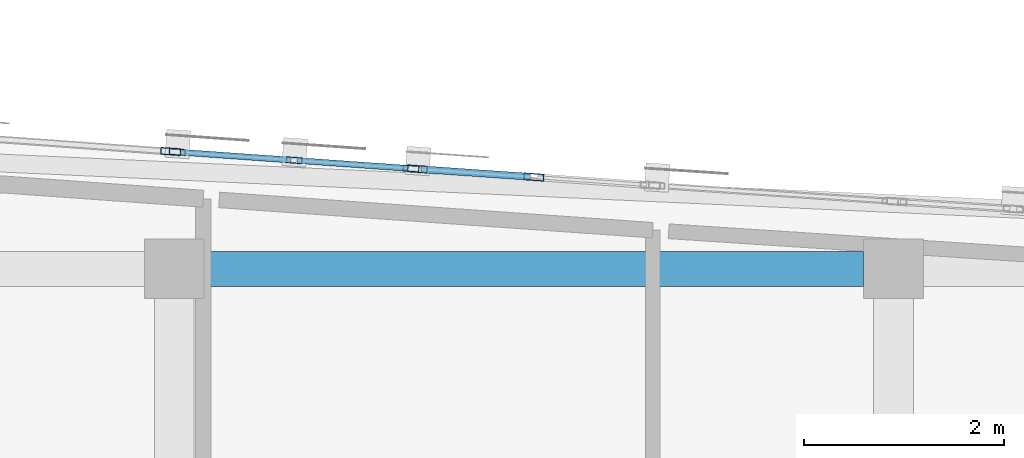
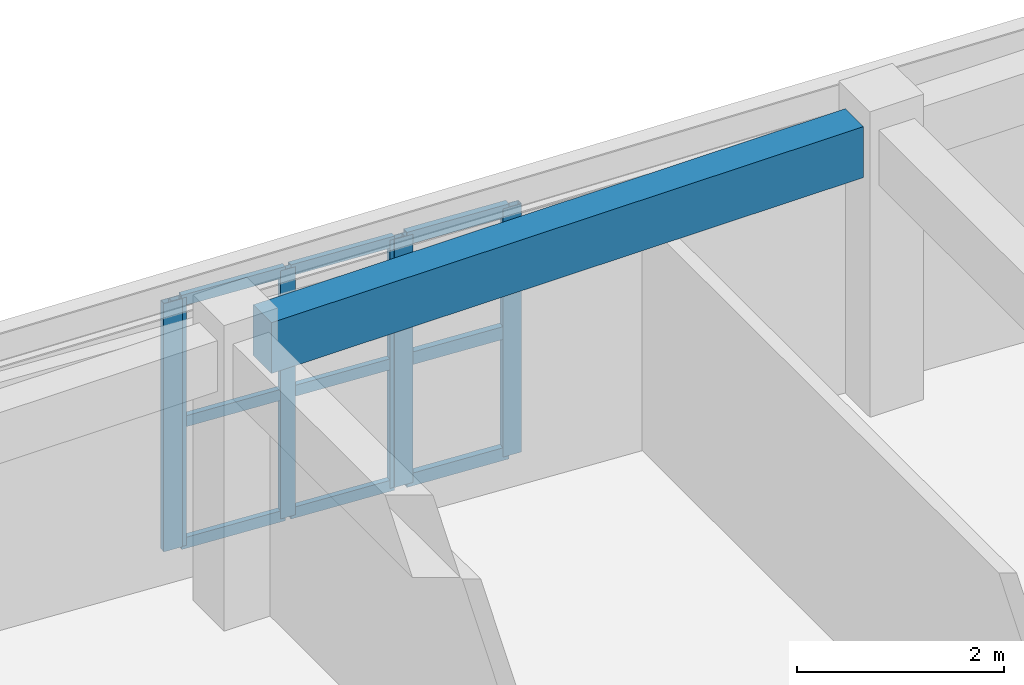
# One storey, part 26 of 50: 15 members, 1 beam, 3 elements without a shape of their own.
"""IFC4 building model written with IfcOpenShell, lengths in metres."""

from ifc_helpers import new_model, si_unit, direction, frame, origin, origin_2d, place, context, subcontext, project, spatial, rectangle, hollow_rectangle, extrude, material, layer, layer_set, material_profile, profile_set, type_object, element, aggregate, save


model = new_model("IFC4")

# Units and contexts
model_context = context("Model", 3, precision=1e-05, world=origin(), true_north=direction((0.0, 1.0)))
body_context = subcontext(model_context, "Body", "Model", "MODEL_VIEW")
ifc_project = project(units=[si_unit("LENGTHUNIT", "METRE"), si_unit("AREAUNIT", "SQUARE_METRE"), si_unit("VOLUMEUNIT", "CUBIC_METRE"), si_unit("PLANEANGLEUNIT", "RADIAN"), si_unit("MASSUNIT", "GRAM", prefix="KILO")], contexts=[model_context])

# Site, building, storey
site_placement = place(None, origin())
site = spatial("IfcSite", under=ifc_project, at=site_placement, CompositionType="ELEMENT")
building_placement = place(site_placement, origin())
building = spatial("IfcBuilding", under=site, at=building_placement, Name="Carrowvane Square Congress Hotel", CompositionType="ELEMENT")
storey_placement = place(building_placement, frame((0.0, 0.0, 22.800048828125)))
storey = spatial("IfcBuildingStorey", under=building, at=storey_placement, Name="L05", CompositionType="ELEMENT", Elevation=22.800048828125)

# Beam
ifc_material_1 = material(Name="Concrete C35/45", Category="concrete")
ifc_material_profile_1 = material_profile(ifc_material_1, rectangle(XDim=0.35009765625, YDim=0.60009765625, at=origin_2d()), Name="RC 350x600")
ifc_profile_set_1 = profile_set([ifc_material_profile_1], Name="Concrete C35/45")
beam_type = type_object("IfcBeamType", Name="BM-RC-350x600", PredefinedType="BEAM", material=ifc_profile_set_1)
beam_placement = place(storey_placement, frame((141.5, 113.39990234375, 3.050048828125), z_axis=(1.0, 0.0, 0.0), x_axis=(0.0, 1.0, 0.0)))
element("IfcBeam", 1, at=beam_placement, inside=storey, type_object=beam_type, Name="L06 girder R/19-20", PredefinedType="BEAM", context=body_context, shape_type="SweptSolid", body=[
    extrude(rectangle(XDim=0.35009765625, YDim=0.60009765625, at=origin_2d()), origin(), (0.0, 0.0, 1.0), 6.60009765625),
])

# Curtain wall, members
ifc_material_2 = material(Name="Anodised aluminium", Category="aluminium")
ifc_layer_1 = layer(ifc_material_2, 0.23388671875)
ifc_layer_set_1 = layer_set([ifc_layer_1], Name="Anodised aluminium")
curtain_wall_type_1 = type_object("IfcCurtainWallType", Name="CW-SYS-7", PredefinedType="NOTDEFINED", material=ifc_layer_set_1)
curtain_wall_1_placement = place(storey_placement, origin())
curtain_wall_1 = element("IfcCurtainWall", 2, at=curtain_wall_1_placement, inside=storey, type_object=curtain_wall_type_1, Name="L05 unitised curtain wall 350", PredefinedType="NOTDEFINED")
ifc_material_3 = material(Name="Anodised aluminium", Category="aluminium")
ifc_material_profile_2 = material_profile(ifc_material_3, hollow_rectangle(XDim=0.06005859375, YDim=0.159912109375, WallThickness=0.00390625, at=origin_2d()), Name="CW-ML 60x160x4")
ifc_profile_set_2 = profile_set([ifc_material_profile_2], Name="Anodised aluminium")
member_type_1 = type_object("IfcMemberType", Name="CW-MUL-1", PredefinedType="MULLION", material=ifc_profile_set_2)
member_1_placement = place(storey_placement, frame((141.22998046875, 114.569091796875, 0.0), z_axis=(0.0, 0.0, 1.0), x_axis=(0.070585996942, 0.997505697746, 0.0)))
member_1 = element("IfcMember", 3, at=member_1_placement, type_object=member_type_1, Name="CW-7 mullion 1", PredefinedType="MULLION", context=body_context, shape_type="SweptSolid", body=[
    extrude(hollow_rectangle(XDim=0.06005859375, YDim=0.159912109375, WallThickness=0.00390625, at=origin_2d()), origin(), (0.0, 0.0, 1.0), 2.925537109375),
])
member_2_placement = place(storey_placement, frame((142.39990234375, 114.486328125, 0.0), z_axis=(0.0, 0.0, 1.0), x_axis=(0.070585996942, 0.997505697746, 0.0)))
member_2 = element("IfcMember", 4, at=member_2_placement, type_object=member_type_1, Name="CW-7 mullion 2", PredefinedType="MULLION", context=body_context, shape_type="SweptSolid", body=[
    extrude(hollow_rectangle(XDim=0.06005859375, YDim=0.159912109375, WallThickness=0.00390625, at=origin_2d()), origin(), (0.0, 0.0, 1.0), 2.925537109375),
])
member_3_placement = place(storey_placement, frame((143.570068359375, 114.403564453125, 0.0), z_axis=(0.0, 0.0, 1.0), x_axis=(0.070585996942, 0.997505697746, 0.0)))
member_3 = element("IfcMember", 5, at=member_3_placement, type_object=member_type_1, Name="CW-7 mullion 3", PredefinedType="MULLION", context=body_context, shape_type="SweptSolid", body=[
    extrude(hollow_rectangle(XDim=0.06005859375, YDim=0.159912109375, WallThickness=0.00390625, at=origin_2d()), origin(), (0.0, 0.0, 1.0), 2.925537109375),
])

# Curtain wall, member
ifc_material_4 = material(Name="Anodised aluminium", Category="aluminium")
ifc_layer_2 = layer(ifc_material_4, 0.221923828125)
ifc_layer_set_2 = layer_set([ifc_layer_2], Name="Anodised aluminium")
curtain_wall_type_2 = type_object("IfcCurtainWallType", Name="CW-SYS-6", PredefinedType="NOTDEFINED", material=ifc_layer_set_2)
curtain_wall_2_placement = place(storey_placement, origin())
curtain_wall_2 = element("IfcCurtainWall", 6, at=curtain_wall_2_placement, inside=storey, type_object=curtain_wall_type_2, Name="L05 unitised curtain wall 349", PredefinedType="NOTDEFINED")
ifc_material_5 = material(Name="Anodised aluminium", Category="aluminium")
ifc_material_profile_3 = material_profile(ifc_material_5, hollow_rectangle(XDim=0.070068359375, YDim=0.199951171875, WallThickness=0.0048828125, at=origin_2d()), Name="CW-ML 70x200x5")
ifc_profile_set_3 = profile_set([ifc_material_profile_3], Name="Anodised aluminium")
member_type_2 = type_object("IfcMemberType", Name="CW-MUL-2", PredefinedType="MULLION", material=ifc_profile_set_3)
member_4_placement = place(storey_placement, frame((141.1650390625, 114.57373046875, 0.0), z_axis=(0.0, 0.0, 1.0), x_axis=(0.071422490945, 0.997446152826, 0.0)))
member_4 = element("IfcMember", 7, at=member_4_placement, type_object=member_type_2, Name="CW-6 mullion 2", PredefinedType="MULLION", context=body_context, shape_type="SweptSolid", body=[
    extrude(hollow_rectangle(XDim=0.070068359375, YDim=0.199951171875, WallThickness=0.0048828125, at=origin_2d()), origin(), (0.0, 0.0, 1.0), 2.925537109375),
])
aggregate(curtain_wall_2, [member_4])

# Curtain wall, members
ifc_material_6 = material(Name="Anodised aluminium", Category="aluminium")
ifc_layer_3 = layer(ifc_material_6, 0.24609375)
ifc_layer_set_3 = layer_set([ifc_layer_3], Name="Anodised aluminium")
curtain_wall_type_3 = type_object("IfcCurtainWallType", Name="CW-SYS-8", PredefinedType="NOTDEFINED", material=ifc_layer_set_3)
curtain_wall_3_placement = place(storey_placement, origin())
curtain_wall_3 = element("IfcCurtainWall", 8, at=curtain_wall_3_placement, inside=storey, type_object=curtain_wall_type_3, Name="L05 unitised curtain wall 351", PredefinedType="NOTDEFINED")
member_5_placement = place(storey_placement, frame((143.635009765625, 114.39892578125, 0.0), z_axis=(0.0, 0.0, 1.0), x_axis=(0.068986120725, 0.997617619706, 0.0)))
member_5 = element("IfcMember", 9, at=member_5_placement, type_object=member_type_2, Name="CW-8 mullion 1", PredefinedType="MULLION", context=body_context, shape_type="SweptSolid", body=[
    extrude(hollow_rectangle(XDim=0.070068359375, YDim=0.199951171875, WallThickness=0.0048828125, at=origin_2d()), origin(), (0.0, 0.0, 1.0), 2.925537109375),
])
member_6_placement = place(storey_placement, frame((144.800048828125, 114.318359375, 0.0), z_axis=(0.0, 0.0, 1.0), x_axis=(0.068986120725, 0.997617619706, 0.0)))
member_6 = element("IfcMember", 10, at=member_6_placement, type_object=member_type_2, Name="CW-8 mullion 2", PredefinedType="MULLION", context=body_context, shape_type="SweptSolid", body=[
    extrude(hollow_rectangle(XDim=0.070068359375, YDim=0.199951171875, WallThickness=0.0048828125, at=origin_2d()), origin(), (0.0, 0.0, 1.0), 2.925537109375),
])

# Member
ifc_material_7 = material(Name="Anodised aluminium", Category="aluminium")
ifc_material_profile_4 = material_profile(ifc_material_7, hollow_rectangle(XDim=0.06005859375, YDim=0.1298828125, WallThickness=0.00390625, at=origin_2d()), Name="CW-TR 60x130x4")
ifc_profile_set_4 = profile_set([ifc_material_profile_4], Name="Anodised aluminium")
member_type_3 = type_object("IfcMemberType", Name="CW-TRN-1", PredefinedType="USERDEFINED", material=ifc_profile_set_4)
member_7_placement = place(storey_placement, frame((141.259765625, 114.567138671875, 0.030029296875), z_axis=(0.997503038551, -0.070623566054, 0.0), x_axis=(0.070623566054, 0.997503038551, 0.0)))
member_7 = element("IfcMember", 11, at=member_7_placement, type_object=member_type_3, Name="CW-7 transom 1.1", ObjectType="TRANSOM", PredefinedType="USERDEFINED", context=body_context, shape_type="SweptSolid", body=[
    extrude(hollow_rectangle(XDim=0.06005859375, YDim=0.1298828125, WallThickness=0.00390625, at=origin_2d()), origin(), (0.0, 0.0, 1.0), 1.113037109375),
])

member_8_placement = place(storey_placement, frame((141.259765625, 114.567138671875, 1.462646484375), z_axis=(0.997503038551, -0.070623566054, 0.0), x_axis=(0.070623566054, 0.997503038551, 0.0)))
member_8 = element("IfcMember", 12, at=member_8_placement, type_object=member_type_3, Name="CW-7 transom 1.2", ObjectType="TRANSOM", PredefinedType="USERDEFINED", context=body_context, shape_type="SweptSolid", body=[
    extrude(hollow_rectangle(XDim=0.06005859375, YDim=0.1298828125, WallThickness=0.00390625, at=origin_2d()), origin(), (0.0, 0.0, 1.0), 1.113037109375),
])

member_9_placement = place(storey_placement, frame((141.259765625, 114.567138671875, 2.8955078125), z_axis=(0.997503038551, -0.070623566054, 0.0), x_axis=(0.070623566054, 0.997503038551, 0.0)))
member_9 = element("IfcMember", 13, at=member_9_placement, type_object=member_type_3, Name="CW-7 transom 1.3", ObjectType="TRANSOM", PredefinedType="USERDEFINED", context=body_context, shape_type="SweptSolid", body=[
    extrude(hollow_rectangle(XDim=0.06005859375, YDim=0.1298828125, WallThickness=0.00390625, at=origin_2d()), origin(), (0.0, 0.0, 1.0), 1.113037109375),
])

member_10_placement = place(storey_placement, frame((142.429931640625, 114.484130859375, 0.030029296875), z_axis=(0.997517378391, -0.070420734212, 0.0), x_axis=(0.070420734212, 0.997517378391, 0.0)))
member_10 = element("IfcMember", 14, at=member_10_placement, type_object=member_type_3, Name="CW-7 transom 2.1", ObjectType="TRANSOM", PredefinedType="USERDEFINED", context=body_context, shape_type="SweptSolid", body=[
    extrude(hollow_rectangle(XDim=0.06005859375, YDim=0.1298828125, WallThickness=0.00390625, at=origin_2d()), origin(), (0.0, 0.0, 1.0), 1.11279296875),
])

member_11_placement = place(storey_placement, frame((142.429931640625, 114.484130859375, 1.462646484375), z_axis=(0.997517378391, -0.070420734212, 0.0), x_axis=(0.070420734212, 0.997517378391, 0.0)))
member_11 = element("IfcMember", 15, at=member_11_placement, type_object=member_type_3, Name="CW-7 transom 2.2", ObjectType="TRANSOM", PredefinedType="USERDEFINED", context=body_context, shape_type="SweptSolid", body=[
    extrude(hollow_rectangle(XDim=0.06005859375, YDim=0.1298828125, WallThickness=0.00390625, at=origin_2d()), origin(), (0.0, 0.0, 1.0), 1.11279296875),
])

member_12_placement = place(storey_placement, frame((142.429931640625, 114.484130859375, 2.8955078125), z_axis=(0.997517378391, -0.070420734212, 0.0), x_axis=(0.070420734212, 0.997517378391, 0.0)))
member_12 = element("IfcMember", 16, at=member_12_placement, type_object=member_type_3, Name="CW-7 transom 2.3", ObjectType="TRANSOM", PredefinedType="USERDEFINED", context=body_context, shape_type="SweptSolid", body=[
    extrude(hollow_rectangle(XDim=0.06005859375, YDim=0.1298828125, WallThickness=0.00390625, at=origin_2d()), origin(), (0.0, 0.0, 1.0), 1.11279296875),
])

aggregate(curtain_wall_1, [member_1, member_2, member_3, member_7, member_8, member_9, member_10, member_11, member_12])

ifc_material_8 = material(Name="Anodised aluminium", Category="aluminium")
ifc_material_profile_5 = material_profile(ifc_material_8, hollow_rectangle(XDim=0.070068359375, YDim=0.14990234375, WallThickness=0.0048828125, at=origin_2d()), Name="CW-TR 70x150x5")
ifc_profile_set_5 = profile_set([ifc_material_profile_5], Name="Anodised aluminium")
member_type_4 = type_object("IfcMemberType", Name="CW-TRN-2", PredefinedType="USERDEFINED", material=ifc_profile_set_5)
member_13_placement = place(storey_placement, frame((143.669921875, 114.396728515625, 0.034912109375), z_axis=(0.997605525586, -0.069160793236, 0.0), x_axis=(0.069160793236, 0.997605525586, 0.0)))
member_13 = element("IfcMember", 17, at=member_13_placement, type_object=member_type_4, Name="CW-8 transom 1.1", ObjectType="TRANSOM", PredefinedType="USERDEFINED", context=body_context, shape_type="SweptSolid", body=[
    extrude(hollow_rectangle(XDim=0.070068359375, YDim=0.14990234375, WallThickness=0.0048828125, at=origin_2d()), origin(), (0.0, 0.0, 1.0), 1.097900390625),
])

member_14_placement = place(storey_placement, frame((143.669921875, 114.396728515625, 1.462646484375), z_axis=(0.997605525586, -0.069160793236, 0.0), x_axis=(0.069160793236, 0.997605525586, 0.0)))
member_14 = element("IfcMember", 18, at=member_14_placement, type_object=member_type_4, Name="CW-8 transom 1.2", ObjectType="TRANSOM", PredefinedType="USERDEFINED", context=body_context, shape_type="SweptSolid", body=[
    extrude(hollow_rectangle(XDim=0.070068359375, YDim=0.14990234375, WallThickness=0.0048828125, at=origin_2d()), origin(), (0.0, 0.0, 1.0), 1.097900390625),
])

member_15_placement = place(storey_placement, frame((143.669921875, 114.396728515625, 2.890625), z_axis=(0.997605525586, -0.069160793236, 0.0), x_axis=(0.069160793236, 0.997605525586, 0.0)))
member_15 = element("IfcMember", 19, at=member_15_placement, type_object=member_type_4, Name="CW-8 transom 1.3", ObjectType="TRANSOM", PredefinedType="USERDEFINED", context=body_context, shape_type="SweptSolid", body=[
    extrude(hollow_rectangle(XDim=0.070068359375, YDim=0.14990234375, WallThickness=0.0048828125, at=origin_2d()), origin(), (0.0, 0.0, 1.0), 1.097900390625),
])

aggregate(curtain_wall_3, [member_5, member_6, member_13, member_14, member_15])

save(model, "model.ifc")
